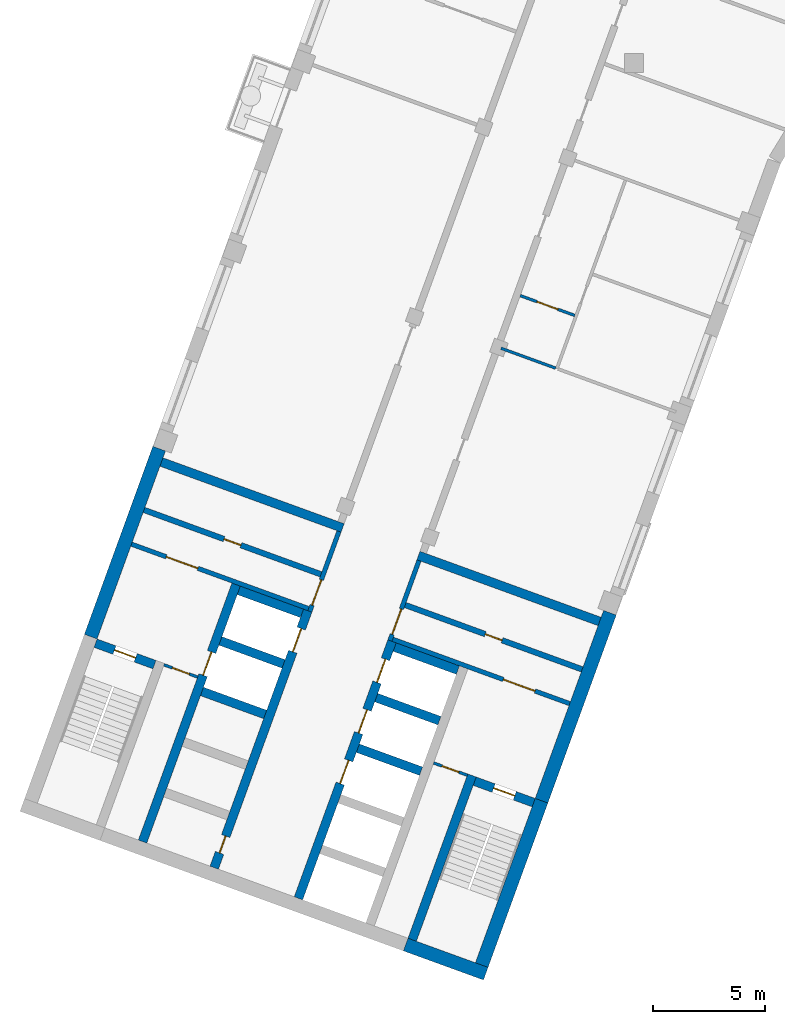
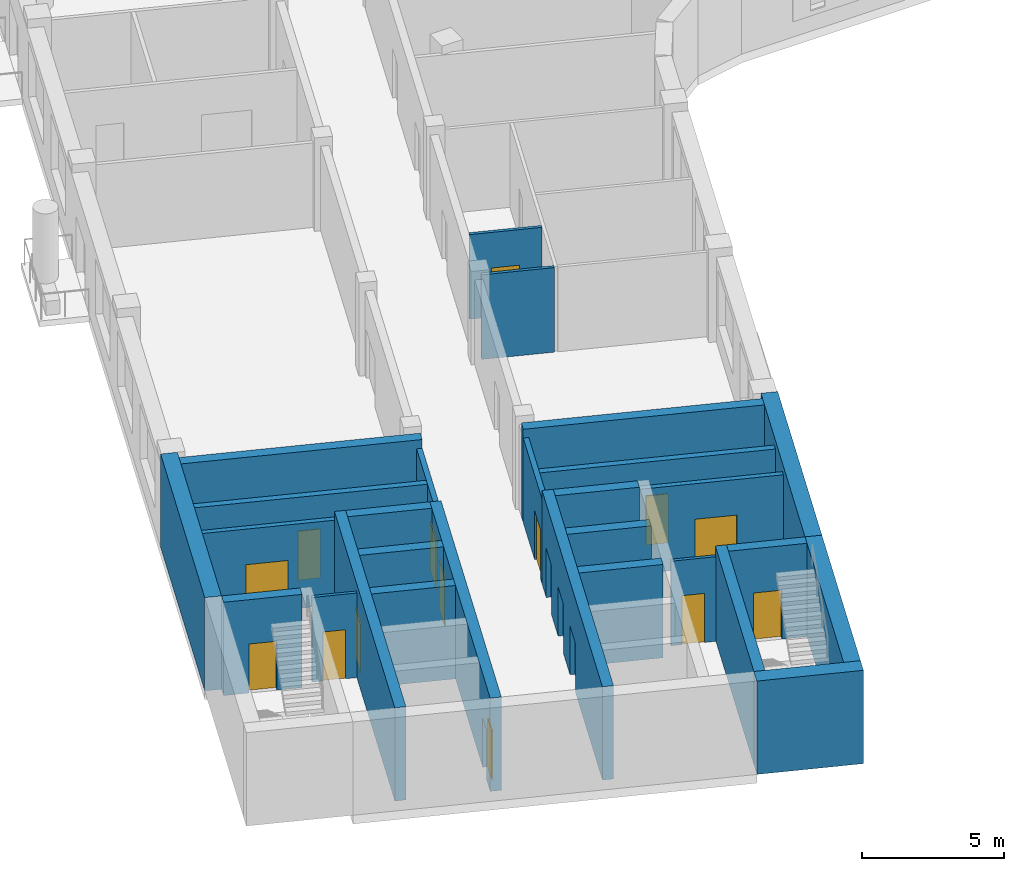
# One storey, part 2 of 13: 28 walls, 17 doors, 17 openings.
"""IFC4 building model written with IfcOpenShell, lengths in metres."""

from ifc_helpers import new_model, si_unit, direction, frame, frame_2d, origin, place, context, subcontext, project, spatial, rectangle, extrude, material, layer, layer_set, type_object, element, fill, save


model = new_model("IFC4")

# Units and contexts
model_context = context("Model", 3, precision=1e-05, world=origin(), true_north=direction((0.0, 1.0)))
body_context = subcontext(model_context, "Body", "Model", "MODEL_VIEW")
ifc_project = project(units=[si_unit("LENGTHUNIT", "METRE"), si_unit("AREAUNIT", "SQUARE_METRE"), si_unit("VOLUMEUNIT", "CUBIC_METRE"), si_unit("PLANEANGLEUNIT", "RADIAN"), si_unit("MASSUNIT", "GRAM", prefix="KILO")], contexts=[model_context])

# Site, building, storey
site_placement = place(None, origin())
site = spatial("IfcSite", under=ifc_project, at=site_placement, CompositionType="ELEMENT")
building_placement = place(site_placement, origin())
building = spatial("IfcBuilding", under=site, at=building_placement, Name="Skarvind Civic Tower", CompositionType="ELEMENT")
storey_placement = place(building_placement, frame((0.0, 0.0, 93.0)))
storey = spatial("IfcBuildingStorey", under=building, at=storey_placement, Name="L21", CompositionType="ELEMENT", Elevation=93.0)

# Wall, opening, door
ifc_material_1 = material(Name="Fire-rated masonry partition", Category="masonry")
ifc_layer_1 = layer(ifc_material_1, 0.199951171875)
ifc_layer_set_1 = layer_set([ifc_layer_1], Name="Core enclosure wall 200")
wall_type_1 = type_object("IfcWallType", Name="Core enclosure wall 200", PredefinedType="PARTITIONING", material=ifc_layer_set_1)
wall_1_placement = place(storey_placement, frame((31.491455078125, 93.693359375, 0.0), z_axis=(0.0, 0.0, 1.0), x_axis=(0.341995824804, 0.939701471648, 0.0)))
wall_1 = element("IfcWall", 1, at=wall_1_placement, inside=storey, type_object=wall_type_1, Name="Core wall C2", PredefinedType="PARTITIONING", context=body_context, shape_type="SweptSolid", body=[
    extrude(rectangle(XDim=3.800048828125, YDim=0.199951171875, at=frame_2d((1.89990234375, 0.0))), origin(), (0.0, 0.0, 1.0), 3.625),
])
opening_1_placement = place(wall_1_placement, frame((0.300048828125, 0.0, 0.0)))
opening_1 = element("IfcOpeningElement", 2, at=opening_1_placement, cuts=wall_1, Name="Opening D-L21-C2-06", PredefinedType="OPENING", context=body_context, shape_type="SweptSolid", body=[
    extrude(rectangle(XDim=1.199951171875, YDim=2.10009765625, at=frame_2d((0.60009765625, 1.050048828125))), frame((0.0, 0.10986328125, 0.0), z_axis=(0.0, -1.0, 0.0), x_axis=(1.0, 0.0, 0.0)), (0.0, 0.0, 1.0), 0.219970703125),
])
ifc_material_2 = material(Name="Fire-rated steel door", Category="steel")
door_type_1 = type_object("IfcDoorType", Name="Core lobby door 1200", OperationType="NOTDEFINED", PredefinedType="DOOR", material=ifc_material_2)
door_1_placement = place(opening_1_placement, origin())
door_1 = element("IfcDoor", 3, at=door_1_placement, inside=storey, type_object=door_type_1, Name="Fire door", OperationType="DOUBLE_DOOR_SINGLE_SWING", OverallHeight=2.10009765625, OverallWidth=1.199951171875, PredefinedType="DOOR", context=body_context, shape_type="SweptSolid", body=[
    extrude(rectangle(XDim=1.199951171875, YDim=2.10009765625, at=frame_2d((0.60009765625, 1.050048828125))), frame((0.0, 0.02490234375, 0.0), z_axis=(0.0, -1.0, 0.0), x_axis=(1.0, 0.0, 0.0)), (0.0, 0.0, 1.0), 0.050048828125),
])
fill(opening_1, door_1)

wall_2_placement = place(storey_placement, frame((23.5380859375, 96.6943359375, 0.0), z_axis=(0.0, 0.0, 1.0), x_axis=(0.939691552312, -0.342023078919, 0.0)))
wall_2 = element("IfcWall", 4, at=wall_2_placement, inside=storey, type_object=wall_type_1, Name="Core wall C2", PredefinedType="PARTITIONING", context=body_context, shape_type="SweptSolid", body=[
    extrude(rectangle(XDim=8.400146484375, YDim=0.199951171875, at=frame_2d((4.2001953125, 0.0))), origin(), (0.0, 0.0, 1.0), 3.625),
])
opening_2_placement = place(wall_2_placement, frame((1.64990234375, 0.0, 0.0)))
opening_2 = element("IfcOpeningElement", 5, at=opening_2_placement, cuts=wall_2, Name="Opening D-L21-C2-07", PredefinedType="OPENING", context=body_context, shape_type="SweptSolid", body=[
    extrude(rectangle(XDim=1.5, YDim=2.10009765625, at=frame_2d((0.75, 1.050048828125))), frame((0.0, 0.10986328125, 0.0), z_axis=(0.0, -1.0, 0.0), x_axis=(1.0, 0.0, 0.0)), (0.0, 0.0, 1.0), 0.219970703125),
])
door_type_2 = type_object("IfcDoorType", Name="Fire door 1500", OperationType="NOTDEFINED", PredefinedType="DOOR", material=ifc_material_2)
door_2_placement = place(opening_2_placement, origin())
door_2 = element("IfcDoor", 6, at=door_2_placement, inside=storey, type_object=door_type_2, Name="Fire door", OperationType="DOUBLE_DOOR_SINGLE_SWING", OverallHeight=2.10009765625, OverallWidth=1.5, PredefinedType="DOOR", context=body_context, shape_type="SweptSolid", body=[
    extrude(rectangle(XDim=1.5, YDim=2.10009765625, at=frame_2d((0.75, 1.050048828125))), frame((0.0, 0.02490234375, 0.0), z_axis=(0.0, -1.0, 0.0), x_axis=(1.0, 0.0, 0.0)), (0.0, 0.0, 1.0), 0.050048828125),
])
fill(opening_2, door_2)

wall_3_placement = place(storey_placement, frame((36.36181640625, 95.96435546875, 0.0), z_axis=(0.0, 0.0, 1.0), x_axis=(-0.341995824804, -0.939701471648, 0.0)))
wall_3 = element("IfcWall", 7, at=wall_3_placement, inside=storey, type_object=wall_type_1, Name="Core wall C2", PredefinedType="PARTITIONING", context=body_context, shape_type="SweptSolid", body=[
    extrude(rectangle(XDim=3.800048828125, YDim=0.199951171875, at=frame_2d((1.89990234375, 0.0))), origin(), (0.0, 0.0, 1.0), 3.625),
])
opening_3_placement = place(wall_3_placement, frame((2.300048828125, 0.0, 0.0)))
opening_3 = element("IfcOpeningElement", 8, at=opening_3_placement, cuts=wall_3, Name="Opening D-L21-C2-11", PredefinedType="OPENING", context=body_context, shape_type="SweptSolid", body=[
    extrude(rectangle(XDim=1.199951171875, YDim=2.10009765625, at=frame_2d((0.60009765625, 1.050048828125))), frame((0.0, 0.10986328125, 0.0), z_axis=(0.0, -1.0, 0.0), x_axis=(1.0, 0.0, 0.0)), (0.0, 0.0, 1.0), 0.219970703125),
])
door_3_placement = place(opening_3_placement, origin())
door_3 = element("IfcDoor", 9, at=door_3_placement, inside=storey, type_object=door_type_1, Name="Fire door", OperationType="DOUBLE_DOOR_SINGLE_SWING", OverallHeight=2.10009765625, OverallWidth=1.199951171875, PredefinedType="DOOR", context=body_context, shape_type="SweptSolid", body=[
    extrude(rectangle(XDim=1.199951171875, YDim=2.10009765625, at=frame_2d((0.60009765625, 1.050048828125))), frame((0.0, 0.02490234375, 0.0), z_axis=(0.0, -1.0, 0.0), x_axis=(1.0, 0.0, 0.0)), (0.0, 0.0, 1.0), 0.050048828125),
])
fill(opening_3, door_3)

wall_4_placement = place(storey_placement, frame((35.1904296875, 92.453369140625, 0.0), z_axis=(0.0, 0.0, 1.0), x_axis=(0.939691552312, -0.342023078919, 0.0)))
wall_4 = element("IfcWall", 10, at=wall_4_placement, inside=storey, type_object=wall_type_1, Name="Core wall C2", PredefinedType="PARTITIONING", context=body_context, shape_type="SweptSolid", body=[
    extrude(rectangle(XDim=8.400146484375, YDim=0.199951171875, at=frame_2d((4.2001953125, 0.0))), origin(), (0.0, 0.0, 1.0), 3.625),
])
opening_4_placement = place(wall_4_placement, frame((5.25, 0.0, 0.0)))
opening_4 = element("IfcOpeningElement", 11, at=opening_4_placement, cuts=wall_4, Name="Opening D-L21-C2-12", PredefinedType="OPENING", context=body_context, shape_type="SweptSolid", body=[
    extrude(rectangle(XDim=1.5, YDim=2.10009765625, at=frame_2d((0.75, 1.050048828125))), frame((0.0, 0.10986328125, 0.0), z_axis=(0.0, -1.0, 0.0), x_axis=(1.0, 0.0, 0.0)), (0.0, 0.0, 1.0), 0.219970703125),
])
door_4_placement = place(opening_4_placement, origin())
door_4 = element("IfcDoor", 12, at=door_4_placement, inside=storey, type_object=door_type_2, Name="Fire door", OperationType="DOUBLE_DOOR_SINGLE_SWING", OverallHeight=2.10009765625, OverallWidth=1.5, PredefinedType="DOOR", context=body_context, shape_type="SweptSolid", body=[
    extrude(rectangle(XDim=1.5, YDim=2.10009765625, at=frame_2d((0.75, 1.050048828125))), frame((0.0, 0.02490234375, 0.0), z_axis=(0.0, -1.0, 0.0), x_axis=(1.0, 0.0, 0.0)), (0.0, 0.0, 1.0), 0.050048828125),
])
fill(opening_4, door_4)

# Wall
ifc_material_3 = material(Name="Concrete C80", Category="concrete")
ifc_layer_2 = layer(ifc_material_3, 0.39990234375)
ifc_layer_set_2 = layer_set([ifc_layer_2], Name="Core wall 400 C80")
wall_type_2 = type_object("IfcWallType", Name="Core wall 400 C80", PredefinedType="SHEAR", material=ifc_layer_set_2)
wall_5_placement = place(storey_placement, frame((36.057861328125, 79.04833984375, 0.0), z_axis=(0.0, 0.0, 1.0), x_axis=(0.342016982193, 0.939693771338, 0.0)))
element("IfcWall", 13, at=wall_5_placement, inside=storey, type_object=wall_type_2, Name="Core wall C2 south stair inner L21", PredefinedType="SHEAR", context=body_context, shape_type="SweptSolid", body=[
    extrude(rectangle(XDim=7.800048828125, YDim=0.39990234375, at=frame_2d((3.89990234375, 0.0))), origin(), (0.0, 0.0, 1.0), 4.0),
])

# Wall, opening, door
wall_6_placement = place(storey_placement, frame((41.476318359375, 85.163818359375, 0.0), z_axis=(0.0, 0.0, 1.0), x_axis=(-0.939678810556, 0.342058084236, 0.0)))
wall_6 = element("IfcWall", 14, at=wall_6_placement, inside=storey, type_object=wall_type_2, Name="Core wall C2 south stair end L21", PredefinedType="SHEAR", context=body_context, shape_type="SweptSolid", body=[
    extrude(rectangle(XDim=2.800048828125, YDim=0.39990234375, at=frame_2d((1.39990234375, 0.0))), origin(), (0.0, 0.0, 1.0), 4.0),
])
opening_5_placement = place(wall_6_placement, frame((0.89990234375, 0.0, 0.0)))
opening_5 = element("IfcOpeningElement", 15, at=opening_5_placement, cuts=wall_6, Name="Opening D-L21-C2-13", PredefinedType="OPENING", context=body_context, shape_type="SweptSolid", body=[
    extrude(rectangle(XDim=1.0, YDim=2.10009765625, at=frame_2d((0.5, 1.050048828125))), frame((0.0, 0.2099609375, 0.0), z_axis=(0.0, -1.0, 0.0), x_axis=(1.0, 0.0, 0.0)), (0.0, 0.0, 1.0), 0.419921875),
])
door_type_3 = type_object("IfcDoorType", Name="Fire door 1000", OperationType="NOTDEFINED", PredefinedType="DOOR", material=ifc_material_2)
door_5_placement = place(opening_5_placement, origin())
door_5 = element("IfcDoor", 16, at=door_5_placement, inside=storey, type_object=door_type_3, Name="Fire door", OperationType="SINGLE_SWING_RIGHT", OverallHeight=2.10009765625, OverallWidth=1.0, PredefinedType="DOOR", context=body_context, shape_type="SweptSolid", body=[
    extrude(rectangle(XDim=1.0, YDim=2.10009765625, at=frame_2d((0.5, 1.050048828125))), frame((0.0, 0.02490234375, 0.0), z_axis=(0.0, -1.0, 0.0), x_axis=(1.0, 0.0, 0.0)), (0.0, 0.0, 1.0), 0.050048828125),
])
fill(opening_5, door_5)

wall_7_placement = place(storey_placement, frame((24.56201171875, 91.3203125, 0.0), z_axis=(0.0, 0.0, 1.0), x_axis=(-0.939717030584, 0.341953070509, 0.0)))
wall_7 = element("IfcWall", 17, at=wall_7_placement, inside=storey, type_object=wall_type_2, Name="Core wall C2 north stair end L21", PredefinedType="SHEAR", context=body_context, shape_type="SweptSolid", body=[
    extrude(rectangle(XDim=2.800048828125, YDim=0.39990234375, at=frame_2d((1.39990234375, 0.0))), origin(), (0.0, 0.0, 1.0), 4.0),
])
opening_6_placement = place(wall_7_placement, frame((0.89990234375, 0.0, 0.0)))
opening_6 = element("IfcOpeningElement", 18, at=opening_6_placement, cuts=wall_7, Name="Opening D-L21-C2-08", PredefinedType="OPENING", context=body_context, shape_type="SweptSolid", body=[
    extrude(rectangle(XDim=1.0, YDim=2.10009765625, at=frame_2d((0.5, 1.050048828125))), frame((0.0, 0.2099609375, 0.0), z_axis=(0.0, -1.0, 0.0), x_axis=(1.0, 0.0, 0.0)), (0.0, 0.0, 1.0), 0.419921875),
])
door_6_placement = place(opening_6_placement, origin())
door_6 = element("IfcDoor", 19, at=door_6_placement, inside=storey, type_object=door_type_3, Name="Fire door", OperationType="SINGLE_SWING_LEFT", OverallHeight=2.10009765625, OverallWidth=1.0, PredefinedType="DOOR", context=body_context, shape_type="SweptSolid", body=[
    extrude(rectangle(XDim=1.0, YDim=2.10009765625, at=frame_2d((0.5, 1.050048828125))), frame((0.0, 0.02490234375, 0.0), z_axis=(0.0, -1.0, 0.0), x_axis=(1.0, 0.0, 0.0)), (0.0, 0.0, 1.0), 0.050048828125),
])
fill(opening_6, door_6)

# Wall, openings, doors
wall_8_placement = place(storey_placement, frame((30.983642578125, 80.895263671875, 0.0), z_axis=(0.0, 0.0, 1.0), x_axis=(0.342021021735, 0.939692301071, 0.0)))
wall_8 = element("IfcWall", 20, at=wall_8_placement, inside=storey, type_object=wall_type_2, Name="Core wall C2 south lift row front L21", PredefinedType="SHEAR", context=body_context, shape_type="SweptSolid", body=[
    extrude(rectangle(XDim=12.199951171875, YDim=0.39990234375, at=frame_2d((6.10009765625, 0.0))), origin(), (0.0, 0.0, 1.0), 4.0),
])
opening_7_placement = place(wall_8_placement, frame((5.449951171875, 0.0, 0.0)))
opening_7 = element("IfcOpeningElement", 21, at=opening_7_placement, cuts=wall_8, Name="Opening LD23208", PredefinedType="OPENING", context=body_context, shape_type="SweptSolid", body=[
    extrude(rectangle(XDim=1.10009765625, YDim=2.10009765625, at=frame_2d((0.550048828125, 1.050048828125))), frame((0.0, 0.2099609375, 0.0), z_axis=(0.0, -1.0, 0.0), x_axis=(1.0, 0.0, 0.0)), (0.0, 0.0, 1.0), 0.419921875),
])
opening_8_placement = place(wall_8_placement, frame((7.85009765625, 0.0, 0.0)))
opening_8 = element("IfcOpeningElement", 22, at=opening_8_placement, cuts=wall_8, Name="Opening LD23209", PredefinedType="OPENING", context=body_context, shape_type="SweptSolid", body=[
    extrude(rectangle(XDim=1.10009765625, YDim=2.10009765625, at=frame_2d((0.550048828125, 1.050048828125))), frame((0.0, 0.2099609375, 0.0), z_axis=(0.0, -1.0, 0.0), x_axis=(1.0, 0.0, 0.0)), (0.0, 0.0, 1.0), 0.419921875),
])
opening_9_placement = place(wall_8_placement, frame((10.25, 0.0, 0.0)))
opening_9 = element("IfcOpeningElement", 23, at=opening_9_placement, cuts=wall_8, Name="Opening LD23210", PredefinedType="OPENING", context=body_context, shape_type="SweptSolid", body=[
    extrude(rectangle(XDim=1.10009765625, YDim=2.10009765625, at=frame_2d((0.550048828125, 1.050048828125))), frame((0.0, 0.2099609375, 0.0), z_axis=(0.0, -1.0, 0.0), x_axis=(1.0, 0.0, 0.0)), (0.0, 0.0, 1.0), 0.419921875),
])
ifc_material_4 = material(Name="Stainless steel landing door", Category="steel")
door_type_4 = type_object("IfcDoorType", Name="Lift landing door 1100", OperationType="DOUBLE_DOOR_SLIDING", PredefinedType="DOOR", material=ifc_material_4)
door_7_placement = place(opening_7_placement, origin())
door_7 = element("IfcDoor", 24, at=door_7_placement, inside=storey, type_object=door_type_4, Name="Lift landing door", OperationType="DOUBLE_DOOR_SLIDING", OverallHeight=2.10009765625, OverallWidth=1.10009765625, PredefinedType="DOOR", context=body_context, shape_type="SweptSolid", body=[
    extrude(rectangle(XDim=1.10009765625, YDim=2.10009765625, at=frame_2d((0.550048828125, 1.050048828125))), frame((0.0, 0.02490234375, 0.0), z_axis=(0.0, -1.0, 0.0), x_axis=(1.0, 0.0, 0.0)), (0.0, 0.0, 1.0), 0.050048828125),
])
fill(opening_7, door_7)
door_8_placement = place(opening_8_placement, origin())
door_8 = element("IfcDoor", 25, at=door_8_placement, inside=storey, type_object=door_type_4, Name="Lift landing door", OperationType="DOUBLE_DOOR_SLIDING", OverallHeight=2.10009765625, OverallWidth=1.10009765625, PredefinedType="DOOR", context=body_context, shape_type="SweptSolid", body=[
    extrude(rectangle(XDim=1.10009765625, YDim=2.10009765625, at=frame_2d((0.550048828125, 1.050048828125))), frame((0.0, 0.02490234375, 0.0), z_axis=(0.0, -1.0, 0.0), x_axis=(1.0, 0.0, 0.0)), (0.0, 0.0, 1.0), 0.050048828125),
])
fill(opening_8, door_8)
door_9_placement = place(opening_9_placement, origin())
door_9 = element("IfcDoor", 26, at=door_9_placement, inside=storey, type_object=door_type_4, Name="Lift landing door", OperationType="DOUBLE_DOOR_SLIDING", OverallHeight=2.10009765625, OverallWidth=1.10009765625, PredefinedType="DOOR", context=body_context, shape_type="SweptSolid", body=[
    extrude(rectangle(XDim=1.10009765625, YDim=2.10009765625, at=frame_2d((0.550048828125, 1.050048828125))), frame((0.0, 0.02490234375, 0.0), z_axis=(0.0, -1.0, 0.0), x_axis=(1.0, 0.0, 0.0)), (0.0, 0.0, 1.0), 0.050048828125),
])
fill(opening_9, door_9)

# Walls
for number, where, z_axis, x_axis, name in (
    (27, (36.453125, 86.56640625, 0.0), (0.0, 0.0, 1.0), (-0.939686455819, 0.342037080957, 0.0), "Core wall C2 south lift row division 3 L21"),
    (28, (37.27392578125, 88.82177734375, 0.0), (0.0, 0.0, 1.0), (-0.939686455819, 0.342037080957, 0.0), "Core wall C2 south lift row division 4 L21"),
):
    element("IfcWall", number, at=place(storey_placement, frame(where, z_axis=z_axis, x_axis=x_axis)), inside=storey, type_object=wall_type_2, Name=name, PredefinedType="SHEAR", context=body_context, shape_type="SweptSolid", body=[
        extrude(rectangle(XDim=3.0, YDim=0.39990234375, at=frame_2d((1.5, 0.0))), origin(), (0.0, 0.0, 1.0), 4.0),
    ])
wall_9_placement = place(storey_placement, frame((38.0947265625, 91.076904296875, 0.0), z_axis=(0.0, 0.0, 1.0), x_axis=(-0.939676934218, 0.342063238742, 0.0)))
element("IfcWall", 29, at=wall_9_placement, inside=storey, type_object=wall_type_2, Name="Core wall C2 south lift row division 5 L21", PredefinedType="SHEAR", context=body_context, shape_type="SweptSolid", body=[
    extrude(rectangle(XDim=2.999755859375, YDim=0.39990234375, at=frame_2d((1.5, 0.0))), origin(), (0.0, 0.0, 1.0), 4.0),
])

# Wall, openings, doors
wall_10_placement = place(storey_placement, frame((27.224853515625, 82.26318359375, 0.0), z_axis=(0.0, 0.0, 1.0), x_axis=(0.342014590177, 0.939694641948, 0.0)))
wall_10 = element("IfcWall", 30, at=wall_10_placement, inside=storey, type_object=wall_type_2, Name="Core wall C2 north lift row front L21", PredefinedType="SHEAR", context=body_context, shape_type="SweptSolid", body=[
    extrude(rectangle(XDim=12.2001953125, YDim=0.39990234375, at=frame_2d((6.10009765625, 0.0))), origin(), (0.0, 0.0, 1.0), 4.0),
])
opening_10_placement = place(wall_10_placement, frame((10.25, 0.0, 0.0)))
opening_10 = element("IfcOpeningElement", 31, at=opening_10_placement, cuts=wall_10, Name="Opening LD23205", PredefinedType="OPENING", context=body_context, shape_type="SweptSolid", body=[
    extrude(rectangle(XDim=1.10009765625, YDim=2.10009765625, at=frame_2d((0.550048828125, 1.050048828125))), frame((0.0, 0.2099609375, 0.0), z_axis=(0.0, -1.0, 0.0), x_axis=(1.0, 0.0, 0.0)), (0.0, 0.0, 1.0), 0.419921875),
])
opening_11_placement = place(wall_10_placement, frame((0.699951171875, 0.0, 0.0)))
opening_11 = element("IfcOpeningElement", 32, at=opening_11_placement, cuts=wall_10, Name="Opening D-L21-C2-05", PredefinedType="OPENING", context=body_context, shape_type="SweptSolid", body=[
    extrude(rectangle(XDim=0.800048828125, YDim=2.10009765625, at=frame_2d((0.39990234375, 1.050048828125))), frame((0.0, 0.2099609375, 0.0), z_axis=(0.0, -1.0, 0.0), x_axis=(1.0, 0.0, 0.0)), (0.0, 0.0, 1.0), 0.419921875),
])
door_type_5 = type_object("IfcDoorType", Name="Core riser door 800", OperationType="NOTDEFINED", PredefinedType="DOOR", material=ifc_material_2)
door_10_placement = place(opening_11_placement, origin())
door_10 = element("IfcDoor", 33, at=door_10_placement, inside=storey, type_object=door_type_5, Name="Riser door", OperationType="SINGLE_SWING_LEFT", OverallHeight=2.10009765625, OverallWidth=0.800048828125, PredefinedType="DOOR", context=body_context, shape_type="SweptSolid", body=[
    extrude(rectangle(XDim=0.800048828125, YDim=2.10009765625, at=frame_2d((0.39990234375, 1.050048828125))), frame((0.0, 0.02490234375, 0.0), z_axis=(0.0, -1.0, 0.0), x_axis=(1.0, 0.0, 0.0)), (0.0, 0.0, 1.0), 0.050048828125),
])
fill(opening_11, door_10)
door_11_placement = place(opening_10_placement, origin())
door_11 = element("IfcDoor", 34, at=door_11_placement, inside=storey, type_object=door_type_4, Name="Lift landing door", OperationType="DOUBLE_DOOR_SLIDING", OverallHeight=2.10009765625, OverallWidth=1.10009765625, PredefinedType="DOOR", context=body_context, shape_type="SweptSolid", body=[
    extrude(rectangle(XDim=1.10009765625, YDim=2.10009765625, at=frame_2d((0.550048828125, 1.050048828125))), frame((0.0, 0.02490234375, 0.0), z_axis=(0.0, -1.0, 0.0), x_axis=(1.0, 0.0, 0.0)), (0.0, 0.0, 1.0), 0.050048828125),
])
fill(opening_10, door_11)

# Wall, opening, door
wall_11_placement = place(storey_placement, frame((24.02978515625, 83.426025390625, 0.0), z_axis=(0.0, 0.0, 1.0), x_axis=(0.342014590177, 0.939694641948, 0.0)))
wall_11 = element("IfcWall", 35, at=wall_11_placement, inside=storey, type_object=wall_type_2, Name="Core wall C2 north lift row back L21", PredefinedType="SHEAR", context=body_context, shape_type="SweptSolid", body=[
    extrude(rectangle(XDim=12.2001953125, YDim=0.39990234375, at=frame_2d((6.10009765625, 0.0))), origin(), (0.0, 0.0, 1.0), 4.0),
])
opening_12_placement = place(wall_11_placement, frame((7.89990234375, 0.0, 0.0)))
opening_12 = element("IfcOpeningElement", 36, at=opening_12_placement, cuts=wall_11, Name="Opening LD23204", PredefinedType="OPENING", context=body_context, shape_type="SweptSolid", body=[
    extrude(rectangle(XDim=1.10009765625, YDim=2.10009765625, at=frame_2d((0.550048828125, 1.050048828125))), frame((0.0, 0.2099609375, 0.0), z_axis=(0.0, -1.0, 0.0), x_axis=(1.0, 0.0, 0.0)), (0.0, 0.0, 1.0), 0.419921875),
])
door_12_placement = place(opening_12_placement, origin())
door_12 = element("IfcDoor", 37, at=door_12_placement, inside=storey, type_object=door_type_4, Name="Lift landing door", OperationType="DOUBLE_DOOR_SLIDING", OverallHeight=2.10009765625, OverallWidth=1.10009765625, PredefinedType="DOOR", context=body_context, shape_type="SweptSolid", body=[
    extrude(rectangle(XDim=1.10009765625, YDim=2.10009765625, at=frame_2d((0.550048828125, 1.050048828125))), frame((0.0, 0.02490234375, 0.0), z_axis=(0.0, -1.0, 0.0), x_axis=(1.0, 0.0, 0.0)), (0.0, 0.0, 1.0), 0.050048828125),
])
fill(opening_12, door_12)

# Walls
for number, where, z_axis, x_axis, name in (
    (38, (29.49951171875, 89.097412109375, 0.0), (0.0, 0.0, 1.0), (-0.939686455819, 0.342037080957, 0.0), "Core wall C2 north lift row division 3 L21"),
    (39, (30.3203125, 91.352783203125, 0.0), (0.0, 0.0, 1.0), (-0.939712609717, 0.341965219194, 0.0), "Core wall C2 north lift row division 4 L21"),
    (40, (31.14111328125, 93.60791015625, 0.0), (0.0, 0.0, 1.0), (-0.939686455819, 0.342037080957, 0.0), "Core wall C2 north lift row division 5 L21"),
):
    element("IfcWall", number, at=place(storey_placement, frame(where, z_axis=z_axis, x_axis=x_axis)), inside=storey, type_object=wall_type_2, Name=name, PredefinedType="SHEAR", context=body_context, shape_type="SweptSolid", body=[
        extrude(rectangle(XDim=3.0, YDim=0.39990234375, at=frame_2d((1.5, 0.0))), origin(), (0.0, 0.0, 1.0), 4.0),
    ])
for number, where, z_axis, x_axis, name in (
    (41, (44.417724609375, 93.2451171875, 0.0), (0.0, 0.0, 1.0), (-0.93969060187, 0.342025690201, 0.0), "Core wall C2 south inner face L21"),
    (42, (32.953369140625, 97.417724609375, 0.0), (0.0, 0.0, 1.0), (-0.93969060187, 0.342025690201, 0.0), "Core wall C2 north inner face L21"),
):
    element("IfcWall", number, at=place(storey_placement, frame(where, z_axis=z_axis, x_axis=x_axis)), inside=storey, type_object=wall_type_2, Name=name, PredefinedType="SHEAR", context=body_context, shape_type="SweptSolid", body=[
        extrude(rectangle(XDim=8.599853515625, YDim=0.39990234375, at=frame_2d((4.2998046875, 0.0))), origin(), (0.0, 0.0, 1.0), 4.0),
    ])
ifc_layer_3 = layer(ifc_material_3, 0.60009765625)
ifc_layer_set_3 = layer_set([ifc_layer_3], Name="Core wall 600 C80")
wall_type_3 = type_object("IfcWallType", Name="Core wall 600 C80", PredefinedType="SHEAR", material=ifc_layer_set_3)
wall_12_placement = place(storey_placement, frame((39.338134765625, 77.53515625, 0.0), z_axis=(0.0, 0.0, 1.0), x_axis=(-0.939701471648, 0.341995824804, 0.0)))
element("IfcWall", 43, at=wall_12_placement, inside=storey, type_object=wall_type_3, Name="Core wall C2 tip at the south stair L21", PredefinedType="SHEAR", context=body_context, shape_type="SweptSolid", body=[
    extrude(rectangle(XDim=3.800048828125, YDim=0.60009765625, at=frame_2d((1.89990234375, 0.0))), origin(), (0.0, 0.0, 1.0), 4.0),
])
wall_13_placement = place(storey_placement, frame((39.158935546875, 77.919677734375, 0.0), z_axis=(0.0, 0.0, 1.0), x_axis=(0.342016982193, 0.939693771338, 0.0)))
element("IfcWall", 44, at=wall_13_placement, inside=storey, type_object=wall_type_3, Name="Core wall C2 south side at the stair L21", PredefinedType="SHEAR", context=body_context, shape_type="SweptSolid", body=[
    extrude(rectangle(XDim=7.800048828125, YDim=0.60009765625, at=frame_2d((3.89990234375, 0.0))), origin(), (0.0, 0.0, 1.0), 4.0),
])
for number, where, z_axis, x_axis, name in (
    (45, (41.82666015625, 85.249267578125, 0.0), (0.0, 0.0, 1.0), (0.342017595281, 0.939693548195, 0.0), "Core wall C2 south side L21"),
    (46, (21.71728515625, 92.568359375, 0.0), (0.0, 0.0, 1.0), (0.342017595281, 0.939693548195, 0.0), "Core wall C2 north side L21"),
):
    element("IfcWall", number, at=place(storey_placement, frame(where, z_axis=z_axis, x_axis=x_axis)), inside=storey, type_object=wall_type_3, Name=name, PredefinedType="SHEAR", context=body_context, shape_type="SweptSolid", body=[
        extrude(rectangle(XDim=8.925048828125, YDim=0.60009765625, at=frame_2d((4.46240234375, 0.0))), origin(), (0.0, 0.0, 1.0), 4.0),
    ])

# Wall, opening, door
ifc_layer_4 = layer(ifc_material_1, 0.125)
ifc_layer_set_4 = layer_set([ifc_layer_4], Name="Riser wall 125")
wall_type_4 = type_object("IfcWallType", Name="Riser wall 125", PredefinedType="PARTITIONING", material=ifc_layer_set_4)
wall_14_placement = place(storey_placement, frame((24.98486328125, 91.3125, 0.0), z_axis=(0.0, 0.0, 1.0), x_axis=(0.939708740826, -0.341975850632, 0.0)))
wall_14 = element("IfcWall", 47, at=wall_14_placement, inside=storey, type_object=wall_type_4, Name="Core wall C2", PredefinedType="PARTITIONING", context=body_context, shape_type="SweptSolid", body=[
    extrude(rectangle(XDim=1.599853515625, YDim=0.125, at=frame_2d((0.7998046875, 0.0))), origin(), (0.0, 0.0, 1.0), 3.625),
])
opening_13_placement = place(wall_14_placement, frame((0.39990234375, 0.0, 0.0)))
opening_13 = element("IfcOpeningElement", 48, at=opening_13_placement, cuts=wall_14, Name="Opening D-L21-C2-09", PredefinedType="OPENING", context=body_context, shape_type="SweptSolid", body=[
    extrude(rectangle(XDim=0.800048828125, YDim=2.10009765625, at=frame_2d((0.39990234375, 1.050048828125))), frame((0.0, 0.072509765625, 0.0), z_axis=(0.0, -1.0, 0.0), x_axis=(1.0, 0.0, 0.0)), (0.0, 0.0, 1.0), 0.14501953125),
])
door_13_placement = place(opening_13_placement, origin())
door_13 = element("IfcDoor", 49, at=door_13_placement, inside=storey, type_object=door_type_5, Name="Riser door", OperationType="SINGLE_SWING_RIGHT", OverallHeight=2.10009765625, OverallWidth=0.800048828125, PredefinedType="DOOR", context=body_context, shape_type="SweptSolid", body=[
    extrude(rectangle(XDim=0.800048828125, YDim=2.10009765625, at=frame_2d((0.39990234375, 1.050048828125))), frame((0.0, 0.02490234375, 0.0), z_axis=(0.0, -1.0, 0.0), x_axis=(1.0, 0.0, 0.0)), (0.0, 0.0, 1.0), 0.050048828125),
])
fill(opening_13, door_13)

wall_15_placement = place(storey_placement, frame((37.012939453125, 86.934814453125, 0.0), z_axis=(0.0, 0.0, 1.0), x_axis=(0.939659694648, -0.342110593602, 0.0)))
wall_15 = element("IfcWall", 50, at=wall_15_placement, inside=storey, type_object=wall_type_4, Name="Core wall C2", PredefinedType="PARTITIONING", context=body_context, shape_type="SweptSolid", body=[
    extrude(rectangle(XDim=1.599853515625, YDim=0.125, at=frame_2d((0.7998046875, 0.0))), origin(), (0.0, 0.0, 1.0), 3.625),
])
opening_14_placement = place(wall_15_placement, frame((0.39990234375, 0.0, 0.0)))
opening_14 = element("IfcOpeningElement", 51, at=opening_14_placement, cuts=wall_15, Name="Opening D-L21-C2-14", PredefinedType="OPENING", context=body_context, shape_type="SweptSolid", body=[
    extrude(rectangle(XDim=0.800048828125, YDim=2.10009765625, at=frame_2d((0.39990234375, 1.050048828125))), frame((0.0, 0.072509765625, 0.0), z_axis=(0.0, -1.0, 0.0), x_axis=(1.0, 0.0, 0.0)), (0.0, 0.0, 1.0), 0.14501953125),
])
door_14_placement = place(opening_14_placement, origin())
door_14 = element("IfcDoor", 52, at=door_14_placement, inside=storey, type_object=door_type_5, Name="Riser door", OperationType="SINGLE_SWING_LEFT", OverallHeight=2.10009765625, OverallWidth=0.800048828125, PredefinedType="DOOR", context=body_context, shape_type="SweptSolid", body=[
    extrude(rectangle(XDim=0.800048828125, YDim=2.10009765625, at=frame_2d((0.39990234375, 1.050048828125))), frame((0.0, 0.02490234375, 0.0), z_axis=(0.0, -1.0, 0.0), x_axis=(1.0, 0.0, 0.0)), (0.0, 0.0, 1.0), 0.050048828125),
])
fill(opening_14, door_14)

ifc_layer_5 = layer(ifc_material_1, 0.25)
ifc_layer_set_5 = layer_set([ifc_layer_5], Name="Service block wall 250")
wall_type_5 = type_object("IfcWallType", Name="Service block wall 250", PredefinedType="PARTITIONING", material=ifc_layer_set_5)
wall_16_placement = place(storey_placement, frame((24.093994140625, 98.221435546875, 0.0), z_axis=(0.0, 0.0, 1.0), x_axis=(0.939691552312, -0.342023078919, 0.0)))
wall_16 = element("IfcWall", 53, at=wall_16_placement, inside=storey, type_object=wall_type_5, Name="Core wall C2", PredefinedType="PARTITIONING", context=body_context, shape_type="SweptSolid", body=[
    extrude(rectangle(XDim=8.400146484375, YDim=0.25, at=frame_2d((4.2001953125, 0.0))), origin(), (0.0, 0.0, 1.0), 3.625),
])
opening_15_placement = place(wall_16_placement, frame((3.800048828125, 0.0, 0.0)))
opening_15 = element("IfcOpeningElement", 54, at=opening_15_placement, cuts=wall_16, Name="Opening D-L21-C2-10", PredefinedType="OPENING", context=body_context, shape_type="SweptSolid", body=[
    extrude(rectangle(XDim=0.800048828125, YDim=2.10009765625, at=frame_2d((0.39990234375, 1.050048828125))), frame((0.0, 0.135009765625, 0.0), z_axis=(0.0, -1.0, 0.0), x_axis=(1.0, 0.0, 0.0)), (0.0, 0.0, 1.0), 0.27001953125),
])
door_15_placement = place(opening_15_placement, origin())
door_15 = element("IfcDoor", 55, at=door_15_placement, inside=storey, type_object=door_type_5, Name="Riser door", OperationType="SINGLE_SWING_LEFT", OverallHeight=2.10009765625, OverallWidth=0.800048828125, PredefinedType="DOOR", context=body_context, shape_type="SweptSolid", body=[
    extrude(rectangle(XDim=0.800048828125, YDim=2.10009765625, at=frame_2d((0.39990234375, 1.050048828125))), frame((0.0, 0.02490234375, 0.0), z_axis=(0.0, -1.0, 0.0), x_axis=(1.0, 0.0, 0.0)), (0.0, 0.0, 1.0), 0.050048828125),
])
fill(opening_15, door_15)

wall_17_placement = place(storey_placement, frame((35.74609375, 93.98046875, 0.0), z_axis=(0.0, 0.0, 1.0), x_axis=(0.939691552312, -0.342023078919, 0.0)))
wall_17 = element("IfcWall", 56, at=wall_17_placement, inside=storey, type_object=wall_type_5, Name="Core wall C2", PredefinedType="PARTITIONING", context=body_context, shape_type="SweptSolid", body=[
    extrude(rectangle(XDim=8.400146484375, YDim=0.25, at=frame_2d((4.2001953125, 0.0))), origin(), (0.0, 0.0, 1.0), 3.625),
])
opening_16_placement = place(wall_17_placement, frame((3.800048828125, 0.0, 0.0)))
opening_16 = element("IfcOpeningElement", 57, at=opening_16_placement, cuts=wall_17, Name="Opening D-L21-C2-15", PredefinedType="OPENING", context=body_context, shape_type="SweptSolid", body=[
    extrude(rectangle(XDim=0.800048828125, YDim=2.10009765625, at=frame_2d((0.39990234375, 1.050048828125))), frame((0.0, 0.135009765625, 0.0), z_axis=(0.0, -1.0, 0.0), x_axis=(1.0, 0.0, 0.0)), (0.0, 0.0, 1.0), 0.27001953125),
])
door_16_placement = place(opening_16_placement, origin())
door_16 = element("IfcDoor", 58, at=door_16_placement, inside=storey, type_object=door_type_5, Name="Riser door", OperationType="SINGLE_SWING_RIGHT", OverallHeight=2.10009765625, OverallWidth=0.800048828125, PredefinedType="DOOR", context=body_context, shape_type="SweptSolid", body=[
    extrude(rectangle(XDim=0.800048828125, YDim=2.10009765625, at=frame_2d((0.39990234375, 1.050048828125))), frame((0.0, 0.02490234375, 0.0), z_axis=(0.0, -1.0, 0.0), x_axis=(1.0, 0.0, 0.0)), (0.0, 0.0, 1.0), 0.050048828125),
])
fill(opening_16, door_16)

# Wall
ifc_material_5 = material(Name="Moisture-resistant gypsum board on steel studs", Category="steel")
ifc_layer_6 = layer(ifc_material_5, 0.125)
ifc_layer_set_6 = layer_set([ifc_layer_6], Name="WC PARTITION 125")
wall_type_6 = type_object("IfcWallType", Name="WC PARTITION 125", PredefinedType="PARTITIONING", material=ifc_layer_set_6)
wall_18_placement = place(storey_placement, frame((40.02099609375, 105.43408203125, 0.0), z_axis=(0.0, 0.0, 1.0), x_axis=(0.939564838351, -0.342371018829, 0.0)))
element("IfcWall", 59, at=wall_18_placement, inside=storey, type_object=wall_type_6, Name="Partition 21.006", PredefinedType="PARTITIONING", context=body_context, shape_type="SweptSolid", body=[
    extrude(rectangle(XDim=2.590576171875, YDim=0.125, at=frame_2d((1.29541015625, 0.0))), origin(), (0.0, 0.0, 1.0), 3.625),
])

# Wall, opening, door
wall_19_placement = place(storey_placement, frame((43.30810546875, 106.89794921875, 0.0), z_axis=(0.0, 0.0, 1.0), x_axis=(-0.93971903862, 0.341947552198, 0.0)))
wall_19 = element("IfcWall", 60, at=wall_19_placement, inside=storey, type_object=wall_type_6, Name="Partition 21.007", PredefinedType="PARTITIONING", context=body_context, shape_type="SweptSolid", body=[
    extrude(rectangle(XDim=2.588134765625, YDim=0.125, at=frame_2d((1.2939453125, 0.0))), origin(), (0.0, 0.0, 1.0), 3.625),
])
opening_17_placement = place(wall_19_placement, frame((0.794189453125, 0.0, 0.0)))
opening_17 = element("IfcOpeningElement", 61, at=opening_17_placement, cuts=wall_19, Name="Opening L21-D021", PredefinedType="OPENING", context=body_context, shape_type="SweptSolid", body=[
    extrude(rectangle(XDim=1.0, YDim=2.10009765625, at=frame_2d((0.5, 1.050048828125))), frame((0.0, 0.072509765625, 0.0), z_axis=(0.0, -1.0, 0.0), x_axis=(1.0, 0.0, 0.0)), (0.0, 0.0, 1.0), 0.14501953125),
])
ifc_material_6 = material(Name="Timber door leaf", Category="wood")
door_type_6 = type_object("IfcDoorType", Name="D1 1000x2100", OperationType="NOTDEFINED", PredefinedType="DOOR", material=ifc_material_6)
door_17_placement = place(opening_17_placement, origin())
door_17 = element("IfcDoor", 62, at=door_17_placement, inside=storey, type_object=door_type_6, Name="Door L21-D021", OperationType="SINGLE_SWING_RIGHT", OverallHeight=2.10009765625, OverallWidth=1.0, PredefinedType="DOOR", context=body_context, shape_type="SweptSolid", body=[
    extrude(rectangle(XDim=1.0, YDim=2.10009765625, at=frame_2d((0.5, 1.050048828125))), frame((0.0, 0.02490234375, 0.0), z_axis=(0.0, -1.0, 0.0), x_axis=(1.0, 0.0, 0.0)), (0.0, 0.0, 1.0), 0.050048828125),
])
fill(opening_17, door_17)

save(model, "model.ifc")
